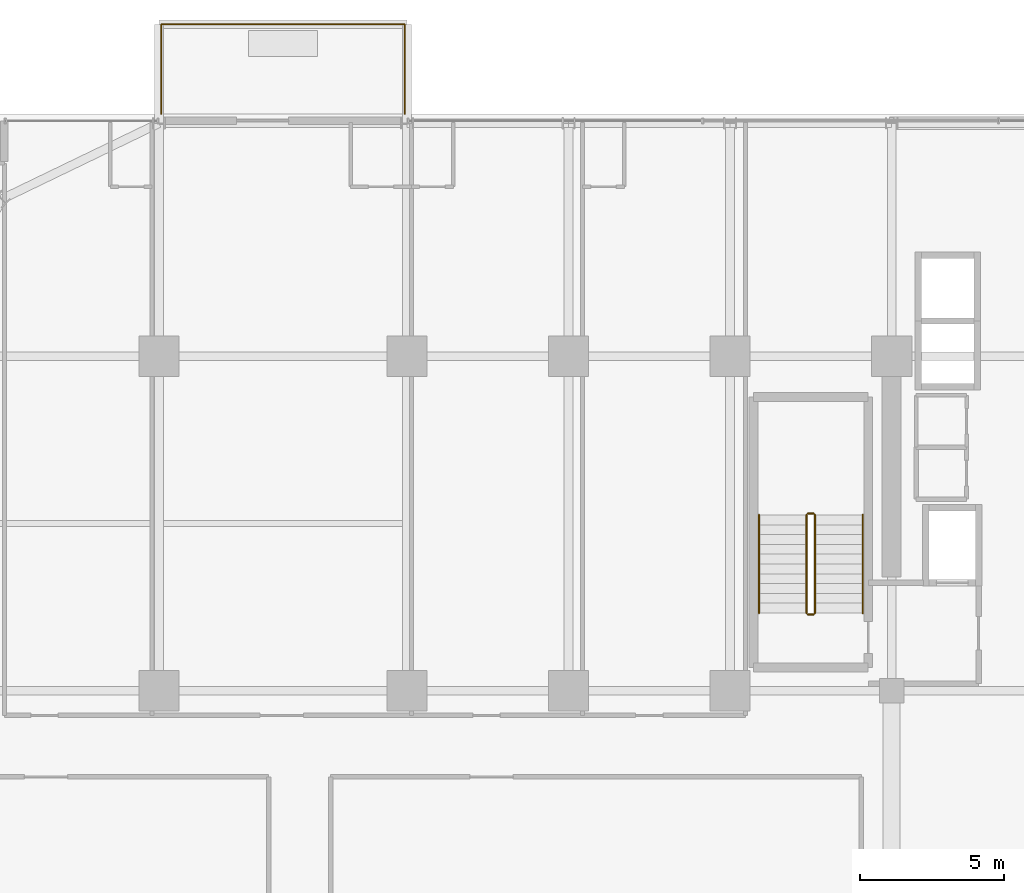
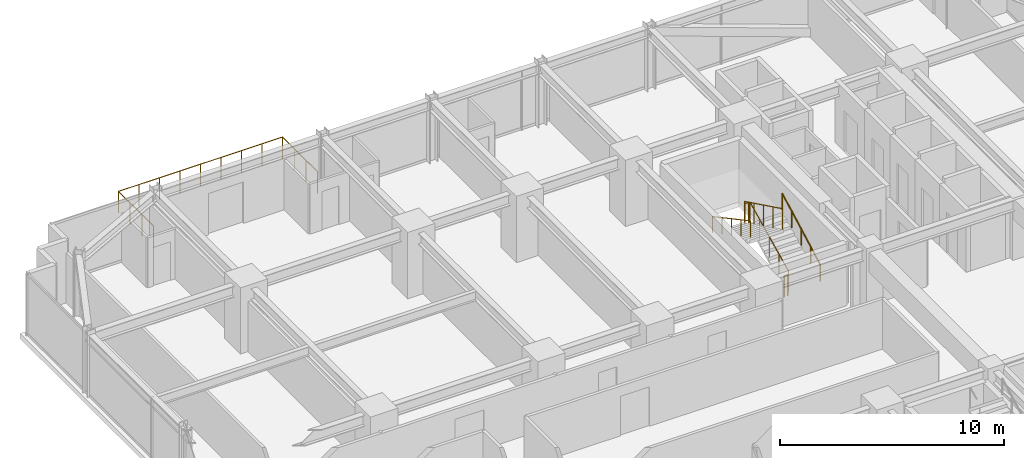
# One storey, part 34 of 35: 7 railings.
"""IFC4 building model written with IfcOpenShell, lengths in metres."""

from ifc_helpers import new_model, si_unit, direction, frame, origin, origin_2d, place, context, subcontext, project, spatial, circle, extrude, material, type_object, element, save


model = new_model("IFC4")

# Units and contexts
model_context = context("Model", 3, precision=1e-05, world=origin(), true_north=direction((0.0, 1.0)))
body_context = subcontext(model_context, "Body", "Model", "MODEL_VIEW")
ifc_project = project(units=[si_unit("LENGTHUNIT", "METRE"), si_unit("AREAUNIT", "SQUARE_METRE"), si_unit("VOLUMEUNIT", "CUBIC_METRE"), si_unit("PLANEANGLEUNIT", "RADIAN"), si_unit("MASSUNIT", "GRAM", prefix="KILO")], contexts=[model_context])

# Site, building, storey
site_placement = place(None, origin())
site = spatial("IfcSite", under=ifc_project, at=site_placement, CompositionType="ELEMENT")
building_placement = place(site_placement, origin())
building = spatial("IfcBuilding", under=site, at=building_placement, Name="Nahalor Promenade Grand Hotel", CompositionType="ELEMENT")
storey_placement = place(building_placement, frame((0.0, 0.0, 39.699951171875)))
storey = spatial("IfcBuildingStorey", under=building, at=storey_placement, Name="L08", CompositionType="ELEMENT", Elevation=39.699951171875)

# Railings
ifc_material_1 = material(Name="Anodised Bronze Aluminium EN AW-6063 T6", Category="aluminium")
railing_type_1 = type_object("IfcRailingType", Name="Bronze Balcony Guardrail 1200 mm", PredefinedType="GUARDRAIL", material=ifc_material_1)
railing_1_placement = place(storey_placement, frame((-16.919921875, 25.39990234375, 0.0)))
element("IfcRailing", 1, at=railing_1_placement, inside=storey, type_object=railing_type_1, Name="L08 Balcony Guardrail 1", PredefinedType="GUARDRAIL", context=body_context, shape_type="SweptSolid", body=[
    extrude(circle(Radius=0.024048, at=origin_2d()), frame((0.0, 0.0, 1.17578125), z_axis=(0.0, 1.0, 0.0), x_axis=(-1.0, 0.0, 0.0)), (0.0, 0.0, 1.0), 3.108154296875),
    extrude(circle(Radius=0.024048, at=origin_2d()), frame((0.001953125, 3.110107421875, 1.17578125), z_axis=(1.0, 0.0, 0.0), x_axis=(0.0, 1.0, 0.0)), (0.0, 0.0, 1.0), 8.43603515625),
    extrude(circle(Radius=0.024048, at=origin_2d()), frame((8.43994140625, 3.108154296875, 1.17578125), z_axis=(0.0, -1.0, 0.0), x_axis=(1.0, 0.0, 0.0)), (0.0, 0.0, 1.0), 3.108154296875),
    extrude(circle(Radius=0.020996, at=origin_2d()), origin(), (0.0, 0.0, 1.0), 1.14990234375),
    extrude(circle(Radius=0.020996, at=origin_2d()), frame((0.0, 1.03662109375, 0.0)), (0.0, 0.0, 1.0), 1.14990234375),
    extrude(circle(Radius=0.020996, at=origin_2d()), frame((0.0, 2.073486328125, 0.0)), (0.0, 0.0, 1.0), 1.14990234375),
    extrude(circle(Radius=0.020996, at=origin_2d()), frame((0.0, 3.110107421875, 0.0)), (0.0, 0.0, 1.0), 1.14990234375),
    extrude(circle(Radius=0.020996, at=origin_2d()), frame((1.054931640625, 3.110107421875, 0.0)), (0.0, 0.0, 1.0), 1.14990234375),
    extrude(circle(Radius=0.020996, at=origin_2d()), frame((2.10986328125, 3.110107421875, 0.0)), (0.0, 0.0, 1.0), 1.14990234375),
    extrude(circle(Radius=0.020996, at=origin_2d()), frame((3.1650390625, 3.110107421875, 0.0)), (0.0, 0.0, 1.0), 1.14990234375),
    extrude(circle(Radius=0.020996, at=origin_2d()), frame((4.219970703125, 3.110107421875, 0.0)), (0.0, 0.0, 1.0), 1.14990234375),
    extrude(circle(Radius=0.020996, at=origin_2d()), frame((5.27490234375, 3.110107421875, 0.0)), (0.0, 0.0, 1.0), 1.14990234375),
    extrude(circle(Radius=0.020996, at=origin_2d()), frame((6.330078125, 3.110107421875, 0.0)), (0.0, 0.0, 1.0), 1.14990234375),
    extrude(circle(Radius=0.020996, at=origin_2d()), frame((7.385009765625, 3.110107421875, 0.0)), (0.0, 0.0, 1.0), 1.14990234375),
    extrude(circle(Radius=0.020996, at=origin_2d()), frame((8.43994140625, 3.110107421875, 0.0)), (0.0, 0.0, 1.0), 1.14990234375),
    extrude(circle(Radius=0.020996, at=origin_2d()), frame((8.43994140625, 2.073486328125, 0.0)), (0.0, 0.0, 1.0), 1.14990234375),
    extrude(circle(Radius=0.020996, at=origin_2d()), frame((8.43994140625, 1.03662109375, 0.0)), (0.0, 0.0, 1.0), 1.14990234375),
    extrude(circle(Radius=0.020996, at=origin_2d()), frame((8.43994140625, 0.0, 0.0)), (0.0, 0.0, 1.0), 1.14990234375),
])
ifc_material_2 = material(Name="Steel S355JR", Category="steel")
railing_type_2 = type_object("IfcRailingType", Name="Steel Stair Guardrail 1150 mm", PredefinedType="GUARDRAIL", material=ifc_material_2)
railing_2_placement = place(storey_placement, frame((5.75, 8.10009765625, 0.166015625)))
element("IfcRailing", 2, at=railing_2_placement, inside=storey, type_object=railing_type_2, Name="L08 ST1 stair guard 1", PredefinedType="GUARDRAIL", context=body_context, shape_type="SweptSolid", body=[
    extrude(circle(Radius=0.024048, at=origin_2d()), frame((0.0, 0.0, 1.1259765625), z_axis=(0.0, 0.898721922897, 0.438518990814), x_axis=(-1.0, 0.0, 0.0)), (0.0, 0.0, 1.0), 3.782958984375),
    extrude(circle(Radius=0.020996, at=origin_2d()), origin(), (0.0, 0.0, 1.0), 1.099853515625),
    extrude(circle(Radius=0.020996, at=origin_2d()), frame((0.0, 0.85009765625, 0.414794921875)), (0.0, 0.0, 1.0), 1.099853515625),
    extrude(circle(Radius=0.020996, at=origin_2d()), frame((0.0, 1.699951171875, 0.82958984375)), (0.0, 0.0, 1.0), 1.099853515625),
    extrude(circle(Radius=0.020996, at=origin_2d()), frame((0.0, 2.5498046875, 1.244140625)), (0.0, 0.0, 1.0), 1.099853515625),
    extrude(circle(Radius=0.020996, at=origin_2d()), frame((0.0, 3.39990234375, 1.658935546875)), (0.0, 0.0, 1.0), 1.099853515625),
])
railing_3_placement = place(storey_placement, frame((5.699951171875, 11.550048828125, 1.824951171875)))
element("IfcRailing", 3, at=railing_3_placement, inside=storey, type_object=railing_type_2, Name="L08 ST1 stair guard 2", PredefinedType="GUARDRAIL", context=body_context, shape_type="SweptSolid", body=[
    extrude(circle(Radius=0.024048, at=origin_2d()), frame((0.0, 0.0, 1.1259765625), z_axis=(-1.0, 0.0, 0.0), x_axis=(0.0, -1.0, 0.0)), (0.0, 0.0, 1.0), 0.199951171875),
    extrude(circle(Radius=0.020996, at=origin_2d()), origin(), (0.0, 0.0, 1.0), 1.099853515625),
    extrude(circle(Radius=0.020996, at=origin_2d()), frame((-0.199951171875, 0.0, 0.0)), (0.0, 0.0, 1.0), 1.099853515625),
])
railing_4_placement = place(storey_placement, frame((5.449951171875, 11.5, 1.990966796875)))
element("IfcRailing", 4, at=railing_4_placement, inside=storey, type_object=railing_type_2, Name="L08 ST1 stair guard 3", PredefinedType="GUARDRAIL", context=body_context, shape_type="SweptSolid", body=[
    extrude(circle(Radius=0.024048, at=origin_2d()), frame((0.0, 0.0, 1.1259765625), z_axis=(0.0, -0.898696488221, 0.438571114028), x_axis=(1.0, 0.0, 0.0)), (0.0, 0.0, 1.0), 3.783203125),
    extrude(circle(Radius=0.020996, at=origin_2d()), origin(), (0.0, 0.0, 1.0), 1.099853515625),
    extrude(circle(Radius=0.020996, at=origin_2d()), frame((0.0, -0.85009765625, 0.414794921875)), (0.0, 0.0, 1.0), 1.099853515625),
    extrude(circle(Radius=0.020996, at=origin_2d()), frame((0.0, -1.699951171875, 0.82958984375)), (0.0, 0.0, 1.0), 1.099853515625),
    extrude(circle(Radius=0.020996, at=origin_2d()), frame((0.0, -2.5498046875, 1.244384765625)), (0.0, 0.0, 1.0), 1.099853515625),
    extrude(circle(Radius=0.020996, at=origin_2d()), frame((0.0, -3.39990234375, 1.6591796875)), (0.0, 0.0, 1.0), 1.099853515625),
])
railing_5_placement = place(storey_placement, frame((5.699951171875, 8.050048828125, 0.0)))
element("IfcRailing", 5, at=railing_5_placement, inside=storey, type_object=railing_type_2, Name="L08 ST1 stair guard 4", PredefinedType="GUARDRAIL", context=body_context, shape_type="SweptSolid", body=[
    extrude(circle(Radius=0.024048, at=origin_2d()), frame((0.0, 0.0, 1.1259765625), z_axis=(-1.0, 0.0, 0.0), x_axis=(0.0, -1.0, 0.0)), (0.0, 0.0, 1.0), 0.199951171875),
    extrude(circle(Radius=0.020996, at=origin_2d()), origin(), (0.0, 0.0, 1.0), 1.099853515625),
    extrude(circle(Radius=0.020996, at=origin_2d()), frame((-0.199951171875, 0.0, 0.0)), (0.0, 0.0, 1.0), 1.099853515625),
])
railing_type_3 = type_object("IfcRailingType", Name="Steel Stair Handrail 900 mm", PredefinedType="HANDRAIL", material=ifc_material_2)
railing_6_placement = place(storey_placement, frame((7.39990234375, 8.10009765625, 0.166015625)))
element("IfcRailing", 6, at=railing_6_placement, inside=storey, type_object=railing_type_3, Name="L08 ST1 stair handrail 1", PredefinedType="HANDRAIL", context=body_context, shape_type="SweptSolid", body=[
    extrude(circle(Radius=0.024048, at=origin_2d()), frame((0.0, 0.0, 0.8759765625), z_axis=(0.0, 0.881094038095, 0.47294111265), x_axis=(-1.0, 0.0, 0.0)), (0.0, 0.0, 1.0), 3.858642578125),
    extrude(circle(Radius=0.020996, at=origin_2d()), origin(), (0.0, 0.0, 1.0), 0.849853515625),
    extrude(circle(Radius=0.020996, at=origin_2d()), frame((0.0, 0.85009765625, 0.456298828125)), (0.0, 0.0, 1.0), 0.849853515625),
    extrude(circle(Radius=0.020996, at=origin_2d()), frame((0.0, 1.699951171875, 0.91259765625)), (0.0, 0.0, 1.0), 0.849853515625),
    extrude(circle(Radius=0.020996, at=origin_2d()), frame((0.0, 2.5498046875, 1.36865234375)), (0.0, 0.0, 1.0), 0.849853515625),
    extrude(circle(Radius=0.020996, at=origin_2d()), frame((0.0, 3.39990234375, 1.824951171875)), (0.0, 0.0, 1.0), 0.849853515625),
])
railing_7_placement = place(storey_placement, frame((3.800048828125, 11.5, 1.990966796875)))
element("IfcRailing", 7, at=railing_7_placement, inside=storey, type_object=railing_type_3, Name="L08 ST1 stair handrail 2", PredefinedType="HANDRAIL", context=body_context, shape_type="SweptSolid", body=[
    extrude(circle(Radius=0.024048, at=origin_2d()), frame((0.0, 0.0, 0.8759765625), z_axis=(0.0, -0.881094038095, 0.47294111265), x_axis=(1.0, 0.0, 0.0)), (0.0, 0.0, 1.0), 3.858642578125),
    extrude(circle(Radius=0.020996, at=origin_2d()), origin(), (0.0, 0.0, 1.0), 0.849853515625),
    extrude(circle(Radius=0.020996, at=origin_2d()), frame((0.0, -0.85009765625, 0.456298828125)), (0.0, 0.0, 1.0), 0.849853515625),
    extrude(circle(Radius=0.020996, at=origin_2d()), frame((0.0, -1.699951171875, 0.91259765625)), (0.0, 0.0, 1.0), 0.849853515625),
    extrude(circle(Radius=0.020996, at=origin_2d()), frame((0.0, -2.5498046875, 1.36865234375)), (0.0, 0.0, 1.0), 0.849853515625),
    extrude(circle(Radius=0.020996, at=origin_2d()), frame((0.0, -3.39990234375, 1.824951171875)), (0.0, 0.0, 1.0), 0.849853515625),
])

save(model, "model.ifc")
